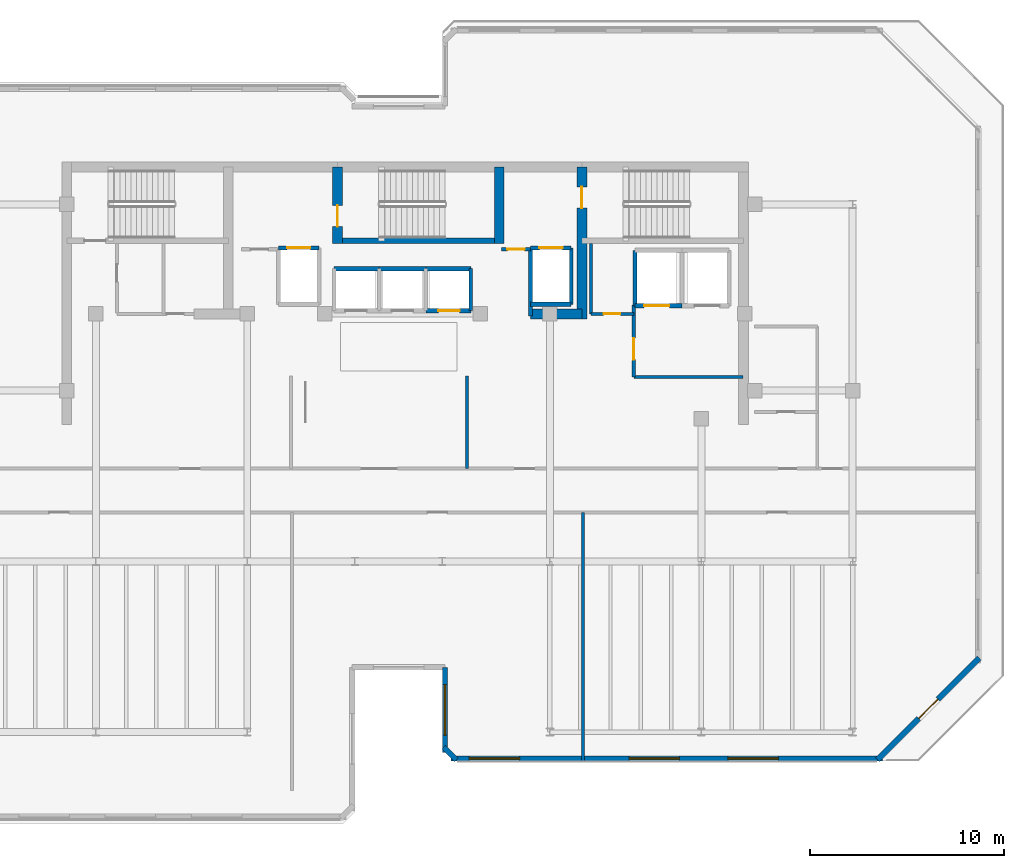
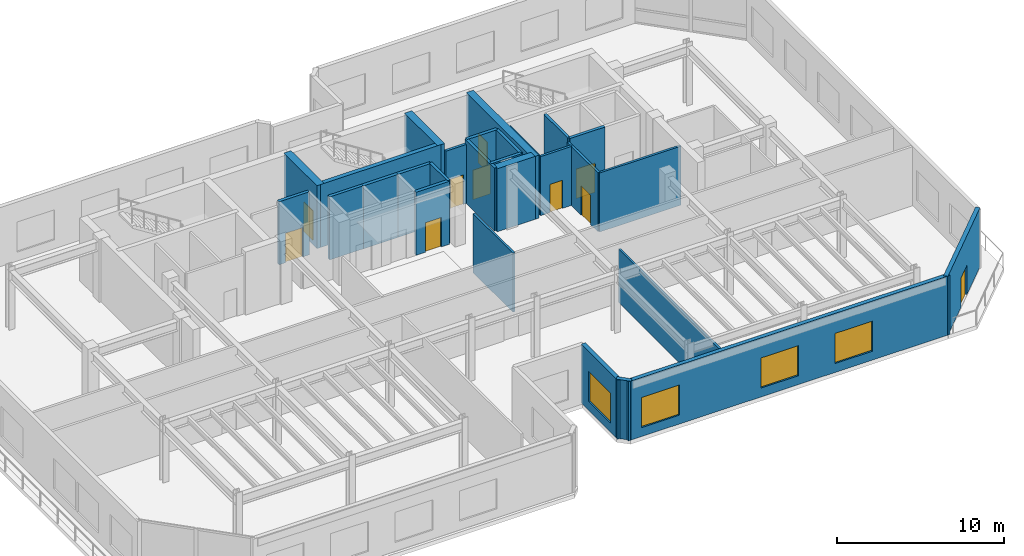
# One storey, part 7 of 14: 28 walls, 10 doors, 4 windows, 14 openings.
"""IFC4 building model written with IfcOpenShell, lengths in metres."""

from ifc_helpers import new_model, si_unit, direction, frame, frame_2d, origin, place, context, subcontext, project, spatial, rectangle, extrude, material, layer, layer_set, type_object, element, fill, save


model = new_model("IFC4")

# Units and contexts
model_context = context("Model", 3, precision=1e-05, world=origin(), true_north=direction((0.0, 1.0)))
body_context = subcontext(model_context, "Body", "Model", "MODEL_VIEW")
ifc_project = project(units=[si_unit("LENGTHUNIT", "METRE"), si_unit("AREAUNIT", "SQUARE_METRE"), si_unit("VOLUMEUNIT", "CUBIC_METRE"), si_unit("PLANEANGLEUNIT", "RADIAN"), si_unit("MASSUNIT", "GRAM", prefix="KILO")], contexts=[model_context])

# Site, building, storey
site_placement = place(None, origin())
site = spatial("IfcSite", under=ifc_project, at=site_placement, CompositionType="ELEMENT")
building_placement = place(site_placement, origin())
building = spatial("IfcBuilding", under=site, at=building_placement, Name="Kestravale Grand Hotel", CompositionType="ELEMENT")
storey_placement = place(building_placement, frame((0.0, 0.0, 297.39990234375)))
storey = spatial("IfcBuildingStorey", under=building, at=storey_placement, Name="L74", CompositionType="ELEMENT", Elevation=297.39990234375)

# Wall
ifc_material_1 = material(Name="Concrete f'c 50 MPa", Category="concrete")
ifc_layer_1 = layer(ifc_material_1, 0.5)
ifc_layer_set_1 = layer_set([ifc_layer_1], Name="EW-CORE-500")
wall_type_1 = type_object("IfcWallType", Name="EW-CORE-500", PredefinedType="SHEAR", material=ifc_layer_set_1)
wall_1_placement = place(storey_placement, frame((45.81005859375, 32.75, 0.0), z_axis=(0.0, 0.0, 1.0), x_axis=(1.0, 0.0, 0.0)))
element("IfcWall", 1, at=wall_1_placement, inside=storey, type_object=wall_type_1, Name="L74 core shear wall S2", PredefinedType="SHEAR", context=body_context, shape_type="SweptSolid", body=[
    extrude(rectangle(XDim=2.639892578125, YDim=0.5, at=frame_2d((1.31982421875, 0.0))), origin(), (0.0, 0.0, 1.0), 4.60009765625),
])

# Wall, opening, door
wall_2_placement = place(storey_placement, frame((35.85009765625, 36.3701171875, 0.0), z_axis=(0.0, 0.0, 1.0), x_axis=(0.0, 1.0, 0.0)))
wall_2 = element("IfcWall", 2, at=wall_2_placement, inside=storey, type_object=wall_type_1, Name="L74 core shear wall X2", PredefinedType="SHEAR", context=body_context, shape_type="SweptSolid", body=[
    extrude(rectangle(XDim=3.949951171875, YDim=0.5, at=frame_2d((1.97509765625, 0.0))), origin(), (0.0, 0.0, 1.0), 4.60009765625),
])
opening_1_placement = place(wall_2_placement, frame((0.8798828125, 0.0, 0.0)))
opening_1 = element("IfcOpeningElement", 3, at=opening_1_placement, cuts=wall_2, Name="Opening D-ST-1100", PredefinedType="OPENING", context=body_context, shape_type="SweptSolid", body=[
    extrude(rectangle(XDim=1.10009765625, YDim=2.14990234375, at=frame_2d((0.550048828125, 1.074951171875))), frame((0.0, 0.260009765625, 0.0), z_axis=(0.0, -1.0, 0.0), x_axis=(1.0, 0.0, 0.0)), (0.0, 0.0, 1.0), 0.52001953125),
])
ifc_material_2 = material(Name="Galvanised 90-minute fire-rated steel stair door", Category="steel")
door_type_1 = type_object("IfcDoorType", Name="D-ST-1100", OperationType="NOTDEFINED", PredefinedType="DOOR", material=ifc_material_2)
door_1_placement = place(opening_1_placement, origin())
door_1 = element("IfcDoor", 4, at=door_1_placement, inside=storey, type_object=door_type_1, Name="L74 Stair ST-2 FSAE fire door", OperationType="SINGLE_SWING_RIGHT", OverallHeight=2.14990234375, OverallWidth=1.10009765625, PredefinedType="DOOR", context=body_context, shape_type="SweptSolid", body=[
    extrude(rectangle(XDim=1.10009765625, YDim=2.14990234375, at=frame_2d((0.550048828125, 1.074951171875))), frame((0.0, 0.02490234375, 0.0), z_axis=(0.0, -1.0, 0.0), x_axis=(1.0, 0.0, 0.0)), (0.0, 0.0, 1.0), 0.050048828125),
])
fill(opening_1, door_1)

# Wall
wall_3_placement = place(storey_placement, frame((44.179931640625, 36.3701171875, 0.0), z_axis=(0.0, 0.0, 1.0), x_axis=(0.0, 1.0, 0.0)))
element("IfcWall", 5, at=wall_3_placement, inside=storey, type_object=wall_type_1, Name="L74 core shear wall X3", PredefinedType="SHEAR", context=body_context, shape_type="SweptSolid", body=[
    extrude(rectangle(XDim=3.949951171875, YDim=0.5, at=frame_2d((1.97509765625, 0.0))), origin(), (0.0, 0.0, 1.0), 4.60009765625),
])

# Wall, opening, door
wall_4_placement = place(storey_placement, frame((48.449951171875, 32.5, 0.0), z_axis=(0.0, 0.0, 1.0), x_axis=(0.0, 1.0, 0.0)))
wall_4 = element("IfcWall", 6, at=wall_4_placement, inside=storey, type_object=wall_type_1, Name="L74 core shear wall X4", PredefinedType="SHEAR", context=body_context, shape_type="SweptSolid", body=[
    extrude(rectangle(XDim=7.820068359375, YDim=0.5, at=frame_2d((3.91015625, 0.0))), origin(), (0.0, 0.0, 1.0), 4.60009765625),
])
opening_2_placement = place(wall_4_placement, frame((5.699951171875, 0.0, 0.0)))
opening_2 = element("IfcOpeningElement", 7, at=opening_2_placement, cuts=wall_4, Name="Opening D-ST-1100", PredefinedType="OPENING", context=body_context, shape_type="SweptSolid", body=[
    extrude(rectangle(XDim=1.10009765625, YDim=2.14990234375, at=frame_2d((0.550048828125, 1.074951171875))), frame((0.0, 0.260009765625, 0.0), z_axis=(0.0, -1.0, 0.0), x_axis=(1.0, 0.0, 0.0)), (0.0, 0.0, 1.0), 0.52001953125),
])
door_2_placement = place(opening_2_placement, origin())
door_2 = element("IfcDoor", 8, at=door_2_placement, inside=storey, type_object=door_type_1, Name="L74 Stair ST-3 FSAE fire door", OperationType="SINGLE_SWING_RIGHT", OverallHeight=2.14990234375, OverallWidth=1.10009765625, PredefinedType="DOOR", context=body_context, shape_type="SweptSolid", body=[
    extrude(rectangle(XDim=1.10009765625, YDim=2.14990234375, at=frame_2d((0.550048828125, 1.074951171875))), frame((0.0, 0.02490234375, 0.0), z_axis=(0.0, -1.0, 0.0), x_axis=(1.0, 0.0, 0.0)), (0.0, 0.0, 1.0), 0.050048828125),
])
fill(opening_2, door_2)

# Wall, opening, window
ifc_material_3 = material(Name="Precast concrete f'c 45 MPa", Category="concrete")
ifc_layer_2 = layer(ifc_material_3, 0.280029296875)
ifc_layer_set_2 = layer_set([ifc_layer_2], Name="EW-PREC-280")
wall_type_2 = type_object("IfcWallType", Name="EW-PREC-280", PredefinedType="SOLIDWALL", material=ifc_layer_set_2)
wall_5_placement = place(storey_placement, frame((41.389892578125, 14.5400390625, 0.0), z_axis=(0.0, 0.0, 1.0), x_axis=(0.0, -1.0, 0.0)))
wall_5 = element("IfcWall", 9, at=wall_5_placement, inside=storey, type_object=wall_type_2, Name="L74 fluted precast facade wall 5", PredefinedType="SOLIDWALL", context=body_context, shape_type="SweptSolid", body=[
    extrude(rectangle(XDim=4.380126953125, YDim=0.280029296875, at=frame_2d((2.18994140625, 0.0))), origin(), (0.0, 0.0, 1.0), 4.31005859375),
])
opening_3_placement = place(wall_5_placement, frame((0.889892578125, 0.0, 0.64990234375)))
opening_3 = element("IfcOpeningElement", 10, at=opening_3_placement, cuts=wall_5, Name="Opening W-SKY-2600", PredefinedType="OPENING", context=body_context, shape_type="SweptSolid", body=[
    extrude(rectangle(XDim=2.60009765625, YDim=2.199951171875, at=frame_2d((1.300048828125, 1.10009765625))), frame((0.0, 0.14990234375, 0.0), z_axis=(0.0, -1.0, 0.0), x_axis=(1.0, 0.0, 0.0)), (0.0, 0.0, 1.0), 0.300048828125),
])
ifc_material_4 = material(Name="Insulated low-E double glazing in aluminium frame", Category="aluminium")
window_type = type_object("IfcWindowType", Name="W-SKY-2600", PartitioningType="TRIPLE_PANEL_VERTICAL", PredefinedType="WINDOW", material=ifc_material_4)
window_1_placement = place(opening_3_placement, origin())
window_1 = element("IfcWindow", 11, at=window_1_placement, inside=storey, type_object=window_type, Name="L74 exterior window 5.1", OverallHeight=2.199951171875, OverallWidth=2.60009765625, PartitioningType="SINGLE_PANEL", PredefinedType="WINDOW", context=body_context, shape_type="SweptSolid", body=[
    extrude(rectangle(XDim=2.60009765625, YDim=2.199951171875, at=frame_2d((1.300048828125, 1.10009765625))), frame((0.0, 0.030029296875, 0.0), z_axis=(0.0, -1.0, 0.0), x_axis=(1.0, 0.0, 0.0)), (0.0, 0.0, 1.0), 0.06005859375),
])
fill(opening_3, window_1)

# Wall
wall_6_placement = place(storey_placement, frame((41.32080078125, 10.42724609375, 0.0), z_axis=(0.0, 0.0, 1.0), x_axis=(0.707106781187, -0.707106781187, 0.0)))
element("IfcWall", 12, at=wall_6_placement, inside=storey, type_object=wall_type_2, Name="L74 fluted precast facade wall 6", PredefinedType="SOLIDWALL", context=body_context, shape_type="SweptSolid", body=[
    extrude(rectangle(XDim=0.928466796875, YDim=0.280029296875, at=frame_2d((0.46435546875, 0.0))), origin(), (0.0, 0.0, 1.0), 4.31005859375),
])

# Wall, openings, windows
wall_7_placement = place(storey_placement, frame((41.7099609375, 9.840087890625, 0.0), z_axis=(0.0, 0.0, 1.0), x_axis=(1.0, 0.0, 0.0)))
wall_7 = element("IfcWall", 13, at=wall_7_placement, inside=storey, type_object=wall_type_2, Name="L74 fluted precast facade wall 7", PredefinedType="SOLIDWALL", context=body_context, shape_type="SweptSolid", body=[
    extrude(rectangle(XDim=22.22998046875, YDim=0.280029296875, at=frame_2d((11.114990234375, 0.0))), origin(), (0.0, 0.0, 1.0), 4.31005859375),
])
opening_4_placement = place(wall_7_placement, frame((0.923095703125, 0.0, 0.64990234375)))
opening_4 = element("IfcOpeningElement", 14, at=opening_4_placement, cuts=wall_7, Name="Opening W-SKY-2600", PredefinedType="OPENING", context=body_context, shape_type="SweptSolid", body=[
    extrude(rectangle(XDim=2.60009765625, YDim=2.199951171875, at=frame_2d((1.300048828125, 1.10009765625))), frame((0.0, 0.14990234375, 0.0), z_axis=(0.0, -1.0, 0.0), x_axis=(1.0, 0.0, 0.0)), (0.0, 0.0, 1.0), 0.300048828125),
])
opening_5_placement = place(wall_7_placement, frame((9.1650390625, 0.0, 0.64990234375)))
opening_5 = element("IfcOpeningElement", 15, at=opening_5_placement, cuts=wall_7, Name="Opening W-SKY-2600", PredefinedType="OPENING", context=body_context, shape_type="SweptSolid", body=[
    extrude(rectangle(XDim=2.60009765625, YDim=2.199951171875, at=frame_2d((1.300048828125, 1.10009765625))), frame((0.0, 0.14990234375, 0.0), z_axis=(0.0, -1.0, 0.0), x_axis=(1.0, 0.0, 0.0)), (0.0, 0.0, 1.0), 0.300048828125),
])
opening_6_placement = place(wall_7_placement, frame((14.260986328125, 0.0, 0.64990234375)))
opening_6 = element("IfcOpeningElement", 16, at=opening_6_placement, cuts=wall_7, Name="Opening W-SKY-2600", PredefinedType="OPENING", context=body_context, shape_type="SweptSolid", body=[
    extrude(rectangle(XDim=2.60009765625, YDim=2.199951171875, at=frame_2d((1.300048828125, 1.10009765625))), frame((0.0, 0.14990234375, 0.0), z_axis=(0.0, -1.0, 0.0), x_axis=(1.0, 0.0, 0.0)), (0.0, 0.0, 1.0), 0.300048828125),
])
window_2_placement = place(opening_4_placement, origin())
window_2 = element("IfcWindow", 17, at=window_2_placement, inside=storey, type_object=window_type, Name="L74 exterior window 7.1", OverallHeight=2.199951171875, OverallWidth=2.60009765625, PartitioningType="SINGLE_PANEL", PredefinedType="WINDOW", context=body_context, shape_type="SweptSolid", body=[
    extrude(rectangle(XDim=2.60009765625, YDim=2.199951171875, at=frame_2d((1.300048828125, 1.10009765625))), frame((0.0, 0.030029296875, 0.0), z_axis=(0.0, -1.0, 0.0), x_axis=(1.0, 0.0, 0.0)), (0.0, 0.0, 1.0), 0.06005859375),
])
fill(opening_4, window_2)
window_3_placement = place(opening_5_placement, origin())
window_3 = element("IfcWindow", 18, at=window_3_placement, inside=storey, type_object=window_type, Name="L74 exterior window 7.2", OverallHeight=2.199951171875, OverallWidth=2.60009765625, PartitioningType="SINGLE_PANEL", PredefinedType="WINDOW", context=body_context, shape_type="SweptSolid", body=[
    extrude(rectangle(XDim=2.60009765625, YDim=2.199951171875, at=frame_2d((1.300048828125, 1.10009765625))), frame((0.0, 0.030029296875, 0.0), z_axis=(0.0, -1.0, 0.0), x_axis=(1.0, 0.0, 0.0)), (0.0, 0.0, 1.0), 0.06005859375),
])
fill(opening_5, window_3)
window_4_placement = place(opening_6_placement, origin())
window_4 = element("IfcWindow", 19, at=window_4_placement, inside=storey, type_object=window_type, Name="L74 exterior window 7.3", OverallHeight=2.199951171875, OverallWidth=2.60009765625, PartitioningType="SINGLE_PANEL", PredefinedType="WINDOW", context=body_context, shape_type="SweptSolid", body=[
    extrude(rectangle(XDim=2.60009765625, YDim=2.199951171875, at=frame_2d((1.300048828125, 1.10009765625))), frame((0.0, 0.030029296875, 0.0), z_axis=(0.0, -1.0, 0.0), x_axis=(1.0, 0.0, 0.0)), (0.0, 0.0, 1.0), 0.06005859375),
])
fill(opening_6, window_4)

# Wall, opening, door
wall_8_placement = place(storey_placement, frame((63.672607421875, 9.770751953125, 0.0), z_axis=(0.0, 0.0, 1.0), x_axis=(0.707106781187, 0.707106781187, 0.0)))
wall_8 = element("IfcWall", 20, at=wall_8_placement, inside=storey, type_object=wall_type_2, Name="L74 fluted precast facade wall 8", PredefinedType="SOLIDWALL", context=body_context, shape_type="SweptSolid", body=[
    extrude(rectangle(XDim=7.433837890625, YDim=0.280029296875, at=frame_2d((3.716796875, 0.0))), origin(), (0.0, 0.0, 1.0), 4.31005859375),
])
opening_7_placement = place(wall_8_placement, frame((3.01708984375, 0.0, 0.0)))
opening_7 = element("IfcOpeningElement", 21, at=opening_7_placement, cuts=wall_8, Name="Opening D-TERR-1400", PredefinedType="OPENING", context=body_context, shape_type="SweptSolid", body=[
    extrude(rectangle(XDim=1.39990234375, YDim=2.14990234375, at=frame_2d((0.699951171875, 1.074951171875))), frame((0.0, 0.14990234375, 0.0), z_axis=(0.0, -1.0, 0.0), x_axis=(1.0, 0.0, 0.0)), (0.0, 0.0, 1.0), 0.300048828125),
])
ifc_material_5 = material(Name="Insulated glazed champagne-bronze aluminium door", Category="aluminium")
door_type_2 = type_object("IfcDoorType", Name="D-TERR-1400", OperationType="NOTDEFINED", PredefinedType="DOOR", material=ifc_material_5)
door_3_placement = place(opening_7_placement, origin())
door_3 = element("IfcDoor", 22, at=door_3_placement, inside=storey, type_object=door_type_2, Name="L74 outdoor garden terrace door", OperationType="DOUBLE_DOOR_SINGLE_SWING", OverallHeight=2.14990234375, OverallWidth=1.39990234375, PredefinedType="DOOR", context=body_context, shape_type="SweptSolid", body=[
    extrude(rectangle(XDim=1.39990234375, YDim=2.14990234375, at=frame_2d((0.699951171875, 1.074951171875))), frame((0.0, 0.02490234375, 0.0), z_axis=(0.0, -1.0, 0.0), x_axis=(1.0, 0.0, 0.0)), (0.0, 0.0, 1.0), 0.050048828125),
])
fill(opening_7, door_3)

# Wall
ifc_material_6 = material(Name="Concrete f'c 45 MPa", Category="concrete")
ifc_layer_3 = layer(ifc_material_6, 0.300048828125)
ifc_layer_set_3 = layer_set([ifc_layer_3], Name="EW-STAIR-300")
wall_type_3 = type_object("IfcWallType", Name="EW-STAIR-300", PredefinedType="SHEAR", material=ifc_layer_set_3)
wall_9_placement = place(storey_placement, frame((35.85009765625, 36.52001953125, 0.0), z_axis=(0.0, 0.0, 1.0), x_axis=(1.0, 0.0, 0.0)))
element("IfcWall", 23, at=wall_9_placement, inside=storey, type_object=wall_type_3, Name="L74 stair enclosure shear wall SST2", PredefinedType="SHEAR", context=body_context, shape_type="SweptSolid", body=[
    extrude(rectangle(XDim=8.329833984375, YDim=0.300048828125, at=frame_2d((4.1650390625, 0.0))), origin(), (0.0, 0.0, 1.0), 4.60009765625),
])

# Wall, opening, door
ifc_material_7 = material(Name="Acoustic fire-rated gypsum board partition", Category="other")
ifc_layer_4 = layer(ifc_material_7, 0.159912109375)
ifc_layer_set_4 = layer_set([ifc_layer_4], Name="IW-CORR-160")
wall_type_4 = type_object("IfcWallType", Name="IW-CORR-160", PredefinedType="PARTITIONING", material=ifc_layer_set_4)
wall_10_placement = place(storey_placement, frame((51.1201171875, 29.5, 0.0), z_axis=(0.0, 0.0, 1.0), x_axis=(0.0, 1.0, 0.0)))
wall_10 = element("IfcWall", 24, at=wall_10_placement, inside=storey, type_object=wall_type_4, Name="W-L74-SVCLOB-W", PredefinedType="PARTITIONING", context=body_context, shape_type="SweptSolid", body=[
    extrude(rectangle(XDim=3.699951171875, YDim=0.159912109375, at=frame_2d((1.85009765625, 0.0))), origin(), (0.0, 0.0, 1.0), 4.31005859375),
])
opening_8_placement = place(wall_10_placement, frame((0.89990234375, 0.0, 0.0)))
opening_8 = element("IfcOpeningElement", 25, at=opening_8_placement, cuts=wall_10, Name="Opening D-CORR-1100", PredefinedType="OPENING", context=body_context, shape_type="SweptSolid", body=[
    extrude(rectangle(XDim=1.10009765625, YDim=2.14990234375, at=frame_2d((0.550048828125, 1.074951171875))), frame((0.0, 0.08984375, 0.0), z_axis=(0.0, -1.0, 0.0), x_axis=(1.0, 0.0, 0.0)), (0.0, 0.0, 1.0), 0.179931640625),
])
ifc_material_8 = material(Name="Single-leaf service vestibule fire door", Category="steel")
door_type_3 = type_object("IfcDoorType", Name="D-CORR-1100", OperationType="NOTDEFINED", PredefinedType="DOOR", material=ifc_material_8)
door_4_placement = place(opening_8_placement, origin())
door_4 = element("IfcDoor", 26, at=door_4_placement, inside=storey, type_object=door_type_3, Name="L74 service lift lobby door", OperationType="SINGLE_SWING_LEFT", OverallHeight=2.14990234375, OverallWidth=1.10009765625, PredefinedType="DOOR", context=body_context, shape_type="SweptSolid", body=[
    extrude(rectangle(XDim=1.10009765625, YDim=2.14990234375, at=frame_2d((0.550048828125, 1.074951171875))), frame((0.0, 0.02490234375, 0.0), z_axis=(0.0, -1.0, 0.0), x_axis=(1.0, 0.0, 0.0)), (0.0, 0.0, 1.0), 0.050048828125),
])
fill(opening_8, door_4)

# Wall
wall_11_placement = place(storey_placement, frame((51.1201171875, 29.5, 0.0), z_axis=(0.0, 0.0, 1.0), x_axis=(1.0, 0.0, 0.0)))
element("IfcWall", 27, at=wall_11_placement, inside=storey, type_object=wall_type_4, Name="L74 service lift lobby wall", PredefinedType="PARTITIONING", context=body_context, shape_type="SweptSolid", body=[
    extrude(rectangle(XDim=5.6298828125, YDim=0.159912109375, at=frame_2d((2.81494140625, 0.0))), origin(), (0.0, 0.0, 1.0), 4.31005859375),
])

# Wall, opening, door
wall_12_placement = place(storey_placement, frame((48.919921875, 32.75, 0.0), z_axis=(0.0, 0.0, 1.0), x_axis=(1.0, 0.0, 0.0)))
wall_12 = element("IfcWall", 28, at=wall_12_placement, inside=storey, type_object=wall_type_4, Name="W-L74-CES", PredefinedType="PARTITIONING", context=body_context, shape_type="SweptSolid", body=[
    extrude(rectangle(XDim=2.2001953125, YDim=0.159912109375, at=frame_2d((1.10009765625, 0.0))), origin(), (0.0, 0.0, 1.0), 4.31005859375),
])
opening_9_placement = place(wall_12_placement, frame((0.64990234375, 0.0, 0.0)))
opening_9 = element("IfcOpeningElement", 29, at=opening_9_placement, cuts=wall_12, Name="Opening D-SH-860", PredefinedType="OPENING", context=body_context, shape_type="SweptSolid", body=[
    extrude(rectangle(XDim=0.860107421875, YDim=2.050048828125, at=frame_2d((0.43017578125, 1.02490234375))), frame((0.0, 0.08984375, 0.0), z_axis=(0.0, -1.0, 0.0), x_axis=(1.0, 0.0, 0.0)), (0.0, 0.0, 1.0), 0.179931640625),
])
ifc_material_9 = material(Name="Galvanised 90-minute riser fire door", Category="steel")
door_type_4 = type_object("IfcDoorType", Name="D-SH-860", OperationType="NOTDEFINED", PredefinedType="DOOR", material=ifc_material_9)
door_5_placement = place(opening_9_placement, origin())
door_5 = element("IfcDoor", 30, at=door_5_placement, inside=storey, type_object=door_type_4, Name="L74 CSTO1 door", OperationType="SINGLE_SWING_RIGHT", OverallHeight=2.050048828125, OverallWidth=0.860107421875, PredefinedType="DOOR", context=body_context, shape_type="SweptSolid", body=[
    extrude(rectangle(XDim=0.860107421875, YDim=2.050048828125, at=frame_2d((0.43017578125, 1.02490234375))), frame((0.0, 0.02490234375, 0.0), z_axis=(0.0, -1.0, 0.0), x_axis=(1.0, 0.0, 0.0)), (0.0, 0.0, 1.0), 0.050048828125),
])
fill(opening_9, door_5)

ifc_material_10 = material(Name="Fire-rated gypsum board on steel studs with mineral wool", Category="steel")
ifc_layer_5 = layer(ifc_material_10, 0.179931640625)
ifc_layer_set_5 = layer_set([ifc_layer_5], Name="IW-FSAE-180")
wall_type_5 = type_object("IfcWallType", Name="IW-FSAE-180", PredefinedType="PARTITIONING", material=ifc_layer_set_5)
wall_13_placement = place(storey_placement, frame((44.300048828125, 36.080078125, 0.0), z_axis=(0.0, 0.0, 1.0), x_axis=(1.0, 0.0, 0.0)))
wall_13 = element("IfcWall", 31, at=wall_13_placement, inside=storey, type_object=wall_type_5, Name="L74 FSAE Lobby 2 smoke barrier", PredefinedType="PARTITIONING", context=body_context, shape_type="SweptSolid", body=[
    extrude(rectangle(XDim=1.5, YDim=0.179931640625, at=frame_2d((0.75, 0.0))), origin(), (0.0, 0.0, 1.0), 4.31005859375),
])
opening_10_placement = place(wall_13_placement, frame((0.300048828125, 0.0, 0.0)))
opening_10 = element("IfcOpeningElement", 32, at=opening_10_placement, cuts=wall_13, Name="Opening D-FSAE-1000", PredefinedType="OPENING", context=body_context, shape_type="SweptSolid", body=[
    extrude(rectangle(XDim=0.89990234375, YDim=2.14990234375, at=frame_2d((0.449951171875, 1.074951171875))), frame((0.0, 0.099853515625, 0.0), z_axis=(0.0, -1.0, 0.0), x_axis=(1.0, 0.0, 0.0)), (0.0, 0.0, 1.0), 0.199951171875),
])
ifc_material_11 = material(Name="Smoke-gasketed FSAE lobby fire door", Category="steel")
door_type_5 = type_object("IfcDoorType", Name="D-FSAE-1000", OperationType="NOTDEFINED", PredefinedType="DOOR", material=ifc_material_11)
door_6_placement = place(opening_10_placement, origin())
door_6 = element("IfcDoor", 33, at=door_6_placement, inside=storey, type_object=door_type_5, Name="L74 FSAE Lobby 2 fire door", OperationType="SINGLE_SWING_LEFT", OverallHeight=2.14990234375, OverallWidth=0.89990234375, PredefinedType="DOOR", context=body_context, shape_type="SweptSolid", body=[
    extrude(rectangle(XDim=0.89990234375, YDim=2.14990234375, at=frame_2d((0.449951171875, 1.074951171875))), frame((0.0, 0.02490234375, 0.0), z_axis=(0.0, -1.0, 0.0), x_axis=(1.0, 0.0, 0.0)), (0.0, 0.0, 1.0), 0.050048828125),
])
fill(opening_10, door_6)

# Walls
ifc_material_12 = material(Name="Concrete f'c 45 MPa", Category="concrete")
ifc_layer_6 = layer(ifc_material_12, 0.199951171875)
ifc_layer_set_6 = layer_set([ifc_layer_6], Name="IW-SHAFT-200")
wall_type_6 = type_object("IfcWallType", Name="IW-SHAFT-200", PredefinedType="SHEAR", material=ifc_layer_set_6)
wall_14_placement = place(storey_placement, frame((42.719970703125, 32.919921875, 0.0), z_axis=(0.0, 0.0, 1.0), x_axis=(0.0, 1.0, 0.0)))
element("IfcWall", 34, at=wall_14_placement, inside=storey, type_object=wall_type_6, Name="L74 PL-X3 east shaft wall", PredefinedType="SHEAR", context=body_context, shape_type="SweptSolid", body=[
    extrude(rectangle(XDim=2.16015625, YDim=0.199951171875, at=frame_2d((1.080078125, 0.0))), origin(), (0.0, 0.0, 1.0), 4.60009765625),
])
wall_15_placement = place(storey_placement, frame((51.179931640625, 33.169921875, 0.0), z_axis=(0.0, 0.0, 1.0), x_axis=(0.0, 1.0, 0.0)))
element("IfcWall", 35, at=wall_15_placement, inside=storey, type_object=wall_type_6, Name="L74 SL-1 west shaft wall", PredefinedType="SHEAR", context=body_context, shape_type="SweptSolid", body=[
    extrude(rectangle(XDim=2.860107421875, YDim=0.199951171875, at=frame_2d((1.43017578125, 0.0))), origin(), (0.0, 0.0, 1.0), 4.60009765625),
])
wall_16_placement = place(storey_placement, frame((45.804931640625, 32.64990234375, 0.0), z_axis=(0.0, 0.0, 1.0), x_axis=(0.0, 1.0, 0.0)))
element("IfcWall", 36, at=wall_16_placement, inside=storey, type_object=wall_type_6, Name="L74 FL-2 west shaft wall", PredefinedType="SHEAR", context=body_context, shape_type="SweptSolid", body=[
    extrude(rectangle(XDim=3.505126953125, YDim=0.199951171875, at=frame_2d((1.75244140625, 0.0))), origin(), (0.0, 0.0, 1.0), 4.60009765625),
])
wall_17_placement = place(storey_placement, frame((47.89501953125, 33.2451171875, 0.0), z_axis=(0.0, 0.0, 1.0), x_axis=(0.0, 1.0, 0.0)))
element("IfcWall", 37, at=wall_17_placement, inside=storey, type_object=wall_type_6, Name="L74 FL-2 east shaft wall", PredefinedType="SHEAR", context=body_context, shape_type="SweptSolid", body=[
    extrude(rectangle(XDim=2.909912109375, YDim=0.199951171875, at=frame_2d((1.455078125, 0.0))), origin(), (0.0, 0.0, 1.0), 4.60009765625),
])
ifc_material_13 = material(Name="Concrete f'c 45 MPa", Category="concrete")
ifc_layer_7 = layer(ifc_material_13, 0.219970703125)
ifc_layer_set_7 = layer_set([ifc_layer_7], Name="IW-SHAFT-220")
wall_type_7 = type_object("IfcWallType", Name="IW-SHAFT-220", PredefinedType="SHEAR", material=ifc_layer_set_7)
wall_18_placement = place(storey_placement, frame((35.679931640625, 35.080078125, 0.0), z_axis=(0.0, 0.0, 1.0), x_axis=(1.0, 0.0, 0.0)))
element("IfcWall", 38, at=wall_18_placement, inside=storey, type_object=wall_type_7, Name="L74 PL-X1 north shaft wall", PredefinedType="SHEAR", context=body_context, shape_type="SweptSolid", body=[
    extrude(rectangle(XDim=2.320068359375, YDim=0.219970703125, at=frame_2d((1.16015625, 0.0))), origin(), (0.0, 0.0, 1.0), 4.60009765625),
])
wall_19_placement = place(storey_placement, frame((38.0, 35.080078125, 0.0), z_axis=(0.0, 0.0, 1.0), x_axis=(1.0, 0.0, 0.0)))
element("IfcWall", 39, at=wall_19_placement, inside=storey, type_object=wall_type_7, Name="L74 PL-X2 north shaft wall", PredefinedType="SHEAR", context=body_context, shape_type="SweptSolid", body=[
    extrude(rectangle(XDim=2.39990234375, YDim=0.219970703125, at=frame_2d((1.199951171875, 0.0))), origin(), (0.0, 0.0, 1.0), 4.60009765625),
])
wall_20_placement = place(storey_placement, frame((40.39990234375, 35.080078125, 0.0), z_axis=(0.0, 0.0, 1.0), x_axis=(1.0, 0.0, 0.0)))
element("IfcWall", 40, at=wall_20_placement, inside=storey, type_object=wall_type_7, Name="L74 PL-X3 north shaft wall", PredefinedType="SHEAR", context=body_context, shape_type="SweptSolid", body=[
    extrude(rectangle(XDim=2.320068359375, YDim=0.219970703125, at=frame_2d((1.16015625, 0.0))), origin(), (0.0, 0.0, 1.0), 4.60009765625),
])

# Wall, opening, door
wall_21_placement = place(storey_placement, frame((40.39990234375, 32.919921875, 0.0), z_axis=(0.0, 0.0, 1.0), x_axis=(1.0, 0.0, 0.0)))
wall_21 = element("IfcWall", 41, at=wall_21_placement, inside=storey, type_object=wall_type_7, Name="L74 PL-X3 south shaft wall", PredefinedType="SHEAR", context=body_context, shape_type="SweptSolid", body=[
    extrude(rectangle(XDim=2.320068359375, YDim=0.219970703125, at=frame_2d((1.16015625, 0.0))), origin(), (0.0, 0.0, 1.0), 4.60009765625),
])
opening_11_placement = place(wall_21_placement, frame((0.64990234375, 0.0, 0.0)))
opening_11 = element("IfcOpeningElement", 42, at=opening_11_placement, cuts=wall_21, Name="Opening LD-PAX-1100", PredefinedType="OPENING", context=body_context, shape_type="SweptSolid", body=[
    extrude(rectangle(XDim=1.10009765625, YDim=2.14990234375, at=frame_2d((0.550048828125, 1.074951171875))), frame((0.0, 0.119873046875, 0.0), z_axis=(0.0, -1.0, 0.0), x_axis=(1.0, 0.0, 0.0)), (0.0, 0.0, 1.0), 0.239990234375),
])
ifc_material_14 = material(Name="Champagne-bronze center-opening sliding elevator landing door", Category="steel")
door_type_6 = type_object("IfcDoorType", Name="LD-PAX-1100", OperationType="NOTDEFINED", PredefinedType="DOOR", material=ifc_material_14)
door_7_placement = place(opening_11_placement, origin())
door_7 = element("IfcDoor", 43, at=door_7_placement, inside=storey, type_object=door_type_6, Name="L74 PL-X3 elevator landing sliding door", OperationType="DOUBLE_DOOR_SLIDING", OverallHeight=2.14990234375, OverallWidth=1.10009765625, PredefinedType="DOOR", context=body_context, shape_type="SweptSolid", body=[
    extrude(rectangle(XDim=1.10009765625, YDim=2.14990234375, at=frame_2d((0.550048828125, 1.074951171875))), frame((0.0, 0.02490234375, 0.0), z_axis=(0.0, -1.0, 0.0), x_axis=(1.0, 0.0, 0.0)), (0.0, 0.0, 1.0), 0.050048828125),
])
fill(opening_11, door_7)

wall_22_placement = place(storey_placement, frame((51.179931640625, 33.169921875, 0.0), z_axis=(0.0, 0.0, 1.0), x_axis=(1.0, 0.0, 0.0)))
wall_22 = element("IfcWall", 44, at=wall_22_placement, inside=storey, type_object=wall_type_7, Name="L74 SL-1 south shaft wall", PredefinedType="SHEAR", context=body_context, shape_type="SweptSolid", body=[
    extrude(rectangle(XDim=2.420166015625, YDim=0.219970703125, at=frame_2d((1.2099609375, 0.0))), origin(), (0.0, 0.0, 1.0), 4.60009765625),
])
opening_12_placement = place(wall_22_placement, frame((0.469970703125, 0.0, 0.0)))
opening_12 = element("IfcOpeningElement", 45, at=opening_12_placement, cuts=wall_22, Name="Opening LD-SVC-1300", PredefinedType="OPENING", context=body_context, shape_type="SweptSolid", body=[
    extrude(rectangle(XDim=1.300048828125, YDim=2.14990234375, at=frame_2d((0.64990234375, 1.074951171875))), frame((0.0, 0.119873046875, 0.0), z_axis=(0.0, -1.0, 0.0), x_axis=(1.0, 0.0, 0.0)), (0.0, 0.0, 1.0), 0.239990234375),
])
ifc_material_15 = material(Name="Heavy-duty service sliding elevator landing door", Category="steel")
door_type_7 = type_object("IfcDoorType", Name="LD-SVC-1300", OperationType="NOTDEFINED", PredefinedType="DOOR", material=ifc_material_15)
door_8_placement = place(opening_12_placement, origin())
door_8 = element("IfcDoor", 46, at=door_8_placement, inside=storey, type_object=door_type_7, Name="L74 SL-1 elevator landing sliding door", OperationType="DOUBLE_DOOR_SLIDING", OverallHeight=2.14990234375, OverallWidth=1.300048828125, PredefinedType="DOOR", context=body_context, shape_type="SweptSolid", body=[
    extrude(rectangle(XDim=1.300048828125, YDim=2.14990234375, at=frame_2d((0.64990234375, 1.074951171875))), frame((0.0, 0.02490234375, 0.0), z_axis=(0.0, -1.0, 0.0), x_axis=(1.0, 0.0, 0.0)), (0.0, 0.0, 1.0), 0.050048828125),
])
fill(opening_12, door_8)

wall_23_placement = place(storey_placement, frame((32.804931640625, 36.155029296875, 0.0), z_axis=(0.0, 0.0, 1.0), x_axis=(1.0, 0.0, 0.0)))
wall_23 = element("IfcWall", 47, at=wall_23_placement, inside=storey, type_object=wall_type_7, Name="L74 FL-1 north shaft wall", PredefinedType="SHEAR", context=body_context, shape_type="SweptSolid", body=[
    extrude(rectangle(XDim=2.090087890625, YDim=0.219970703125, at=frame_2d((1.044921875, 0.0))), origin(), (0.0, 0.0, 1.0), 4.60009765625),
])
opening_13_placement = place(wall_23_placement, frame((0.445068359375, 0.0, 0.0)))
opening_13 = element("IfcOpeningElement", 48, at=opening_13_placement, cuts=wall_23, Name="Opening LD-FSAE-1200", PredefinedType="OPENING", context=body_context, shape_type="SweptSolid", body=[
    extrude(rectangle(XDim=1.199951171875, YDim=2.14990234375, at=frame_2d((0.60009765625, 1.074951171875))), frame((0.0, 0.119873046875, 0.0), z_axis=(0.0, -1.0, 0.0), x_axis=(1.0, 0.0, 0.0)), (0.0, 0.0, 1.0), 0.239990234375),
])
ifc_material_16 = material(Name="Stainless fire-service sliding elevator landing door", Category="steel")
door_type_8 = type_object("IfcDoorType", Name="LD-FSAE-1200", OperationType="NOTDEFINED", PredefinedType="DOOR", material=ifc_material_16)
door_9_placement = place(opening_13_placement, origin())
door_9 = element("IfcDoor", 49, at=door_9_placement, inside=storey, type_object=door_type_8, Name="L74 FL-1 elevator landing sliding door", OperationType="DOUBLE_DOOR_SLIDING", OverallHeight=2.14990234375, OverallWidth=1.199951171875, PredefinedType="DOOR", context=body_context, shape_type="SweptSolid", body=[
    extrude(rectangle(XDim=1.199951171875, YDim=2.14990234375, at=frame_2d((0.60009765625, 1.074951171875))), frame((0.0, 0.02490234375, 0.0), z_axis=(0.0, -1.0, 0.0), x_axis=(1.0, 0.0, 0.0)), (0.0, 0.0, 1.0), 0.050048828125),
])
fill(opening_13, door_9)

wall_24_placement = place(storey_placement, frame((45.804931640625, 36.155029296875, 0.0), z_axis=(0.0, 0.0, 1.0), x_axis=(1.0, 0.0, 0.0)))
wall_24 = element("IfcWall", 50, at=wall_24_placement, inside=storey, type_object=wall_type_7, Name="L74 FL-2 north shaft wall", PredefinedType="SHEAR", context=body_context, shape_type="SweptSolid", body=[
    extrude(rectangle(XDim=2.090087890625, YDim=0.219970703125, at=frame_2d((1.044921875, 0.0))), origin(), (0.0, 0.0, 1.0), 4.60009765625),
])
opening_14_placement = place(wall_24_placement, frame((0.445068359375, 0.0, 0.0)))
opening_14 = element("IfcOpeningElement", 51, at=opening_14_placement, cuts=wall_24, Name="Opening LD-FSAE-1200", PredefinedType="OPENING", context=body_context, shape_type="SweptSolid", body=[
    extrude(rectangle(XDim=1.199951171875, YDim=2.14990234375, at=frame_2d((0.60009765625, 1.074951171875))), frame((0.0, 0.119873046875, 0.0), z_axis=(0.0, -1.0, 0.0), x_axis=(1.0, 0.0, 0.0)), (0.0, 0.0, 1.0), 0.239990234375),
])
door_10_placement = place(opening_14_placement, origin())
door_10 = element("IfcDoor", 52, at=door_10_placement, inside=storey, type_object=door_type_8, Name="L74 FL-2 elevator landing sliding door", OperationType="DOUBLE_DOOR_SLIDING", OverallHeight=2.14990234375, OverallWidth=1.199951171875, PredefinedType="DOOR", context=body_context, shape_type="SweptSolid", body=[
    extrude(rectangle(XDim=1.199951171875, YDim=2.14990234375, at=frame_2d((0.60009765625, 1.074951171875))), frame((0.0, 0.02490234375, 0.0), z_axis=(0.0, -1.0, 0.0), x_axis=(1.0, 0.0, 0.0)), (0.0, 0.0, 1.0), 0.050048828125),
])
fill(opening_14, door_10)

# Walls
wall_25_placement = place(storey_placement, frame((45.804931640625, 33.2451171875, 0.0), z_axis=(0.0, 0.0, 1.0), x_axis=(1.0, 0.0, 0.0)))
element("IfcWall", 53, at=wall_25_placement, inside=storey, type_object=wall_type_7, Name="L74 FL-2 south shaft wall", PredefinedType="SHEAR", context=body_context, shape_type="SweptSolid", body=[
    extrude(rectangle(XDim=2.090087890625, YDim=0.219970703125, at=frame_2d((1.044921875, 0.0))), origin(), (0.0, 0.0, 1.0), 4.60009765625),
])
ifc_material_17 = material(Name="Double-stud STC 52 acoustic demising partition", Category="other")
ifc_layer_8 = layer(ifc_material_17, 0.14990234375)
ifc_layer_set_8 = layer_set([ifc_layer_8], Name="IW-UNIT-150")
wall_type_8 = type_object("IfcWallType", Name="IW-UNIT-150", PredefinedType="PARTITIONING", material=ifc_layer_set_8)
wall_26_placement = place(storey_placement, frame((48.919921875, 32.75, 0.0), z_axis=(0.0, 0.0, 1.0), x_axis=(0.0, 1.0, 0.0)))
element("IfcWall", 54, at=wall_26_placement, inside=storey, type_object=wall_type_8, Name="W-L74-CEW", PredefinedType="PARTITIONING", context=body_context, shape_type="SweptSolid", body=[
    extrude(rectangle(XDim=3.6201171875, YDim=0.14990234375, at=frame_2d((1.81005859375, 0.0))), origin(), (0.0, 0.0, 1.0), 4.31005859375),
])
wall_27_placement = place(storey_placement, frame((42.52001953125, 24.780029296875, 0.0), z_axis=(0.0, 0.0, 1.0), x_axis=(0.0, 1.0, 0.0)))
element("IfcWall", 55, at=wall_27_placement, inside=storey, type_object=wall_type_8, Name="W-L74-RCLE-W", PredefinedType="PARTITIONING", context=body_context, shape_type="SweptSolid", body=[
    extrude(rectangle(XDim=4.77001953125, YDim=0.14990234375, at=frame_2d((2.385009765625, 0.0))), origin(), (0.0, 0.0, 1.0), 4.31005859375),
])
wall_28_placement = place(storey_placement, frame((48.5, 9.719970703125, 0.0), z_axis=(0.0, 0.0, 1.0), x_axis=(0.0, 1.0, 0.0)))
element("IfcWall", 56, at=wall_28_placement, inside=storey, type_object=wall_type_8, Name="W-L74-SD-2", PredefinedType="PARTITIONING", context=body_context, shape_type="SweptSolid", body=[
    extrude(rectangle(XDim=12.800048828125, YDim=0.14990234375, at=frame_2d((6.39990234375, 0.0))), origin(), (0.0, 0.0, 1.0), 3.906005859375),
])

save(model, "model.ifc")
